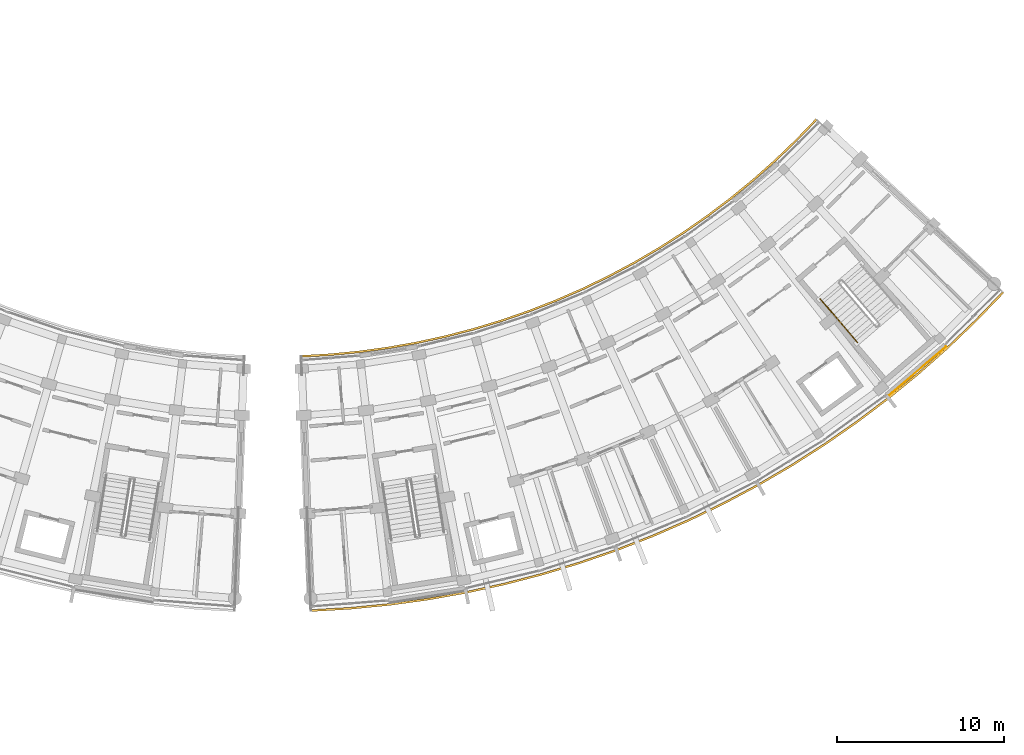
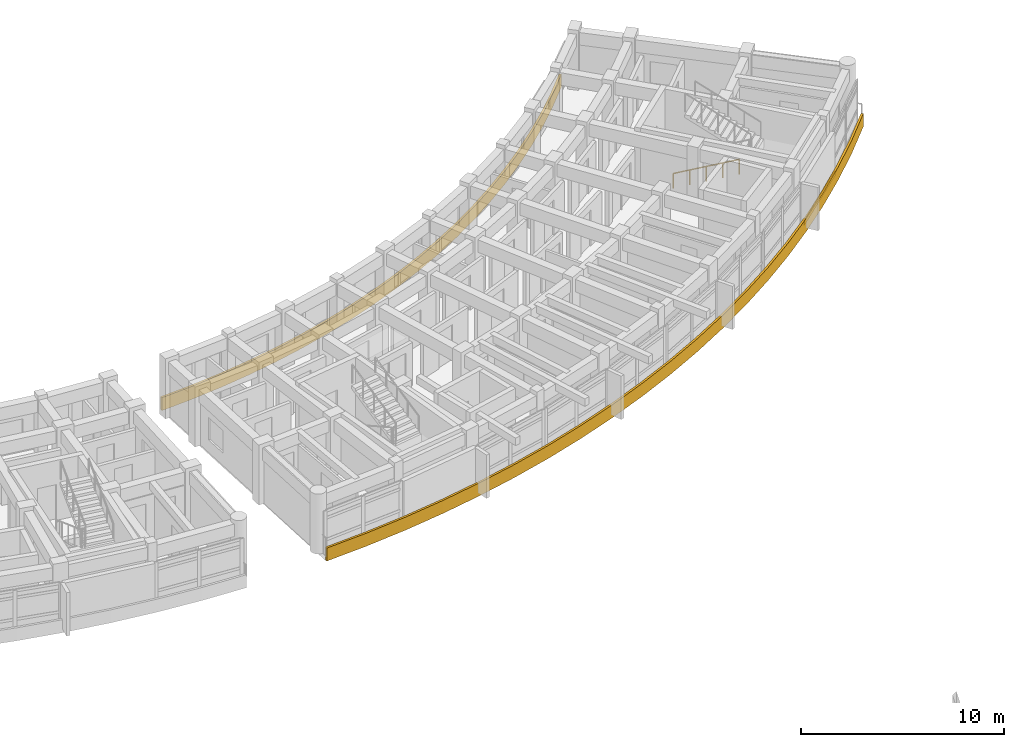
# One storey, part 82 of 83: 3 railings, 1 covering.
"""IFC4 building model written with IfcOpenShell, lengths in metres."""

from ifc_helpers import new_model, si_unit, direction, frame, origin, origin_2d, place, context, subcontext, project, spatial, polyline, rectangle, circle, outline, extrude, material, layer, layer_set, type_object, element, save


model = new_model("IFC4")

# Units and contexts
model_context = context("Model", 3, precision=1e-05, world=origin(), true_north=direction((0.0, 1.0)))
body_context = subcontext(model_context, "Body", "Model", "MODEL_VIEW")
ifc_project = project(units=[si_unit("LENGTHUNIT", "METRE"), si_unit("AREAUNIT", "SQUARE_METRE"), si_unit("VOLUMEUNIT", "CUBIC_METRE"), si_unit("PLANEANGLEUNIT", "RADIAN"), si_unit("MASSUNIT", "GRAM", prefix="KILO")], contexts=[model_context])

# Site, building, storey
site_placement = place(None, origin())
site = spatial("IfcSite", under=ifc_project, at=site_placement, CompositionType="ELEMENT")
building_placement = place(site_placement, origin())
building = spatial("IfcBuilding", under=site, at=building_placement, Name="Zimvara Arc Housing Community", CompositionType="ELEMENT")
storey_placement = place(building_placement, frame((0.0, 0.0, 4.5)))
storey = spatial("IfcBuildingStorey", under=building, at=storey_placement, Name="L01", CompositionType="ELEMENT", Elevation=4.5)

# Covering
ifc_material_1 = material(Name="Pale-Gold Anodised Aluminium Cladding", Category="aluminium")
ifc_layer = layer(ifc_material_1, 0.0400390625)
ifc_layer_set = layer_set([ifc_layer], Name="Pale-Gold Anodised Aluminium Cladding")
covering_type = type_object("IfcCoveringType", Name="CLD-GOLD-01", PredefinedType="CLADDING", material=ifc_layer_set)
covering_placement = place(storey_placement, frame((164.5595703125, 64.609375, 0.009765625), z_axis=(0.0, 0.0, 1.0), x_axis=(0.760971293982, 0.648785549882, 0.0)))
element("IfcCovering", 1, at=covering_placement, inside=storey, type_object=covering_type, Name="cld:blkD:L01:out:b8", PredefinedType="CLADDING", context=body_context, shape_type="SweptSolid", body=[
    extrude(rectangle(XDim=4.5625, YDim=0.0400390625, at=origin_2d()), origin(), (0.0, 0.0, 1.0), 0.300048828125),
])

# Railings
ifc_material_2 = material(Name="Pale-Gold Anodised Aluminium AW-6063", Category="aluminium")
railing_type_1 = type_object("IfcRailingType", Name="RLG-FAS-780", PredefinedType="BALUSTRADE", material=ifc_material_2)
railing_1_placement = place(storey_placement, frame((0.0, 0.0, -0.219970703125)))
element("IfcRailing", 2, at=railing_1_placement, inside=storey, type_object=railing_type_1, Name="rlg:blkD:L01:gold_out", PredefinedType="BALUSTRADE", context=body_context, shape_type="SweptSolid", body=[
    extrude(outline(polyline([(128.27099609375, 50.223876953125), (130.610595703125, 50.35986328125), (132.94287109375, 50.587646484375), (135.2646484375, 50.90673828125), (137.572021484375, 51.316650390625), (139.861328125, 51.81689453125), (142.12939453125, 52.406494140625), (144.37255859375, 53.0849609375), (146.58740234375, 53.850830078125), (148.7705078125, 54.702880859375), (150.918212890625, 55.64013671875), (153.02783203125, 56.6611328125), (155.095458984375, 57.763916015625), (157.118408203125, 58.947265625), (159.093017578125, 60.208984375), (161.016845703125, 61.54736328125), (162.88671875, 62.9599609375), (164.699462890625, 64.445068359375), (166.45263671875, 66.000244140625), (168.143310546875, 67.623046875), (169.76904296875, 69.31103515625), (169.680908203125, 69.392578125), (168.05859375, 67.7080078125), (166.37109375, 66.08837890625), (164.62158203125, 64.536376953125), (162.8125, 63.054443359375), (160.946533203125, 61.64453125), (159.026611328125, 60.308837890625), (157.0556640625, 59.049560546875), (155.036865234375, 57.86865234375), (152.973388671875, 56.76806640625), (150.8681640625, 55.749267578125), (148.724609375, 54.81396484375), (146.5458984375, 53.96337890625), (144.335693359375, 53.198974609375), (142.096923828125, 52.52197265625), (139.83349609375, 51.93359375), (137.548583984375, 51.434326171875), (135.245849609375, 51.025146484375), (132.928955078125, 50.706787109375), (130.601318359375, 50.4794921875), (128.266357421875, 50.343994140625), (128.27099609375, 50.223876953125)])), origin(), (0.0, 0.0, 1.0), 0.780029296875),
])
railing_2_placement = place(storey_placement, frame((0.0, 0.0, -0.219970703125)))
element("IfcRailing", 3, at=railing_2_placement, inside=storey, type_object=railing_type_1, Name="rlg:blkD:L01:gold_in", PredefinedType="BALUSTRADE", context=body_context, shape_type="SweptSolid", body=[
    extrude(outline(polyline([(127.68603515625, 65.45263671875), (129.427978515625, 65.553955078125), (131.164794921875, 65.723388671875), (132.8935546875, 65.961181640625), (134.61181640625, 66.266357421875), (136.316650390625, 66.638916015625), (138.00537109375, 67.077880859375), (139.67578125, 67.5830078125), (141.324951171875, 68.1533203125), (142.95068359375, 68.7880859375), (144.550048828125, 69.48583984375), (146.120849609375, 70.24609375), (147.660400390625, 71.0673828125), (149.166748046875, 71.948486328125), (150.63720703125, 72.887939453125), (152.06982421875, 73.884521484375), (153.462158203125, 74.9365234375), (154.81201171875, 76.04248046875), (156.117431640625, 77.200439453125), (157.37646484375, 78.40869140625), (158.5869140625, 79.66552734375), (158.4990234375, 79.7470703125), (157.29150390625, 78.49365234375), (156.0361328125, 77.28857421875), (154.734130859375, 76.1337890625), (153.387939453125, 75.03076171875), (151.999267578125, 73.981689453125), (150.57080078125, 72.98779296875), (149.104248046875, 72.05078125), (147.60205078125, 71.172119140625), (146.06640625, 70.35302734375), (144.499755859375, 69.594970703125), (142.90478515625, 68.89892578125), (141.28369140625, 68.265869140625), (139.638916015625, 67.697265625), (137.972900390625, 67.193603515625), (136.28857421875, 66.755615234375), (134.58837890625, 66.384033203125), (132.875, 66.07958984375), (131.15087890625, 65.8427734375), (129.418701171875, 65.673583984375), (127.681396484375, 65.57275390625), (127.68603515625, 65.45263671875)])), origin(), (0.0, 0.0, 1.0), 0.780029296875),
])
ifc_material_3 = material(Name="Anodised Aluminium AW-6063", Category="aluminium")
railing_type_2 = type_object("IfcRailingType", Name="RLG-HND-900", PredefinedType="HANDRAIL", material=ifc_material_3)
railing_3_placement = place(storey_placement, frame((158.766357421875, 68.953369140625, 0.14990234375)))
element("IfcRailing", 4, at=railing_3_placement, inside=storey, type_object=railing_type_2, Name="L01 ST-D2 stair handrail 1", PredefinedType="HANDRAIL", context=body_context, shape_type="SweptSolid", body=[
    extrude(circle(Radius=0.02392578125, at=origin_2d()), frame((0.0, 0.0, 0.8759765625), z_axis=(0.584706343608, -0.685811815523, 0.433336642154), x_axis=(0.760971332104, 0.648785505168, 0.0)), (0.0, 0.0, 1.0), 3.80810546875),
    extrude(circle(Radius=0.02099609375, at=origin_2d()), origin(), (0.0, 0.0, 1.0), 0.851806640625),
    extrude(circle(Radius=0.02099609375, at=origin_2d()), frame((0.556640625, -0.65283203125, 0.41259765625)), (0.0, 0.0, 1.0), 0.851806640625),
    extrude(circle(Radius=0.02099609375, at=origin_2d()), frame((1.11328125, -1.3056640625, 0.8251953125)), (0.0, 0.0, 1.0), 0.851806640625),
    extrude(circle(Radius=0.02099609375, at=origin_2d()), frame((1.669921875, -1.958740234375, 1.237548828125)), (0.0, 0.0, 1.0), 0.851806640625),
    extrude(circle(Radius=0.02099609375, at=origin_2d()), frame((2.2265625, -2.611572265625, 1.650146484375)), (0.0, 0.0, 1.0), 0.851806640625),
])

save(model, "model.ifc")
